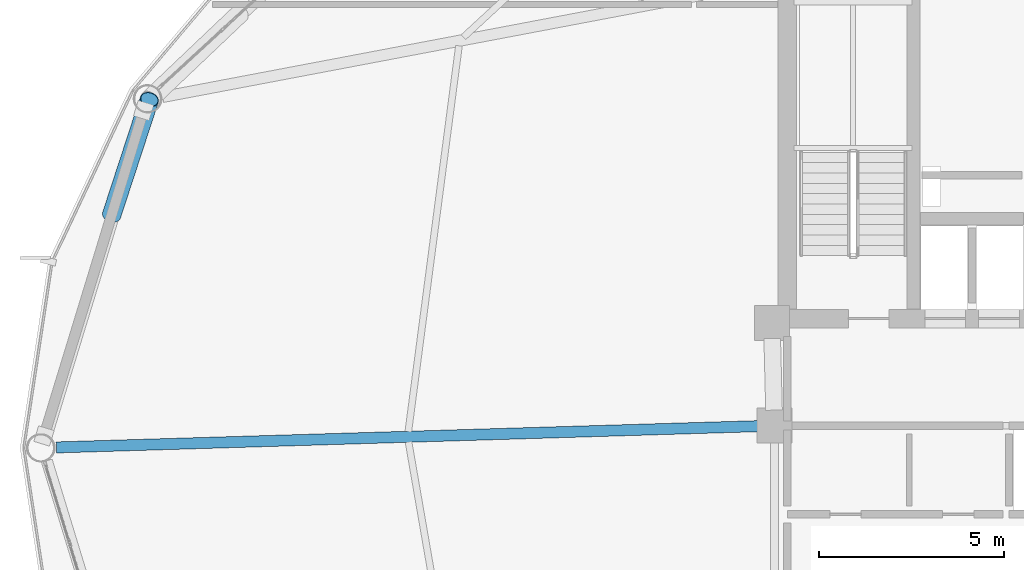
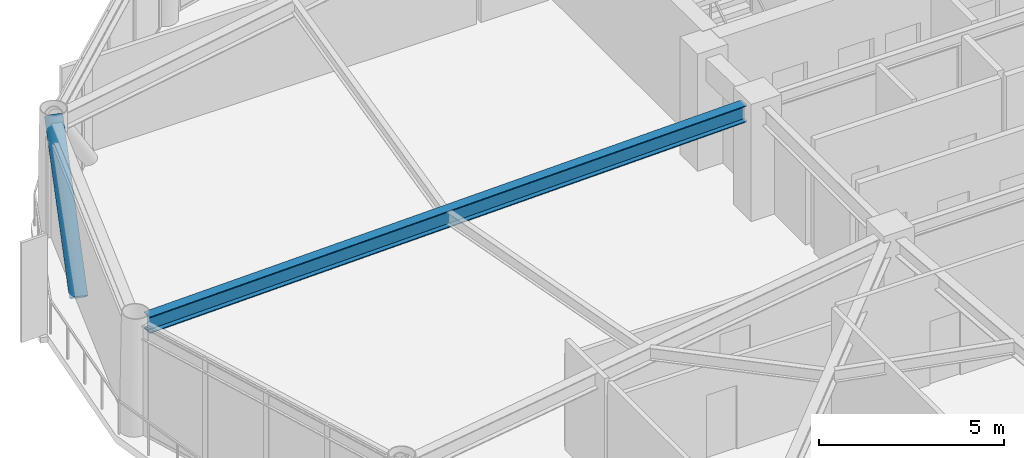
# One storey, part 10 of 26: 1 beam, 1 member.
"""IFC4 building model written with IfcOpenShell, lengths in metres."""

from ifc_helpers import new_model, si_unit, direction, frame, origin, origin_2d, place, context, subcontext, project, spatial, hollow_circle, i_section, extrude, material, material_profile, profile_set, type_object, element, save


model = new_model("IFC4")

# Units and contexts
model_context = context("Model", 3, precision=1e-05, world=origin(), true_north=direction((0.0, 1.0)))
body_context = subcontext(model_context, "Body", "Model", "MODEL_VIEW")
ifc_project = project(units=[si_unit("LENGTHUNIT", "METRE"), si_unit("AREAUNIT", "SQUARE_METRE"), si_unit("VOLUMEUNIT", "CUBIC_METRE"), si_unit("PLANEANGLEUNIT", "RADIAN"), si_unit("MASSUNIT", "GRAM", prefix="KILO")], contexts=[model_context])

# Site, building, storey
site_placement = place(None, origin())
site = spatial("IfcSite", under=ifc_project, at=site_placement, CompositionType="ELEMENT")
building_placement = place(site_placement, origin())
building = spatial("IfcBuilding", under=site, at=building_placement, Name="Varnakorn Sky Granary", CompositionType="ELEMENT")
storey_placement = place(building_placement, frame((0.0, 0.0, 153.89990234375)))
storey = spatial("IfcBuildingStorey", under=building, at=storey_placement, Name="L38", CompositionType="ELEMENT", Elevation=153.89990234375)

# Beam
ifc_material_1 = material(Name="Steel S355JR", Category="steel")
ifc_material_profile_1 = material_profile(ifc_material_1, i_section(OverallWidth=0.300048828125, OverallDepth=0.550048828125, WebThickness=0.014892578125, FlangeThickness=0.029052734375, at=origin_2d()), Name="HE 550 B")
ifc_profile_set_1 = profile_set([ifc_material_profile_1], Name="Steel S355JR")
beam_type = type_object("IfcBeamType", Name="BM-RAD-Z3", PredefinedType="BEAM", material=ifc_profile_set_1)
beam_placement = place(storey_placement, frame((-2.769775390625, 0.58740234375, 3.364990234375), z_axis=(-0.999540825851, -0.030300783096, 0.0), x_axis=(0.030300783096, -0.999540825851, 0.0)))
element("IfcBeam", 1, at=beam_placement, inside=storey, type_object=beam_type, Name="Radial Floor Girder RG07 L38", PredefinedType="BEAM", context=body_context, shape_type="SweptSolid", body=[
    extrude(i_section(OverallWidth=0.300048828125, OverallDepth=0.550048828125, WebThickness=0.014892578125, FlangeThickness=0.029052734375, at=origin_2d()), origin(), (0.0, 0.0, 1.0), 19.023193359375),
])

# Member
ifc_material_2 = material(Name="Steel S460M", Category="steel")
ifc_material_profile_2 = material_profile(ifc_material_2, hollow_circle(Radius=0.25390625, WallThickness=0.01806640625, at=origin_2d()), Name="CHS 508x18")
ifc_profile_set_2 = profile_set([ifc_material_profile_2], Name="Steel S460M")
member_type = type_object("IfcMemberType", Name="MB-DIAG-T2", PredefinedType="BRACE", material=ifc_profile_set_2)
member_placement = place(storey_placement, frame((-20.288818359375, 6.3017578125, -0.1298828125), z_axis=(0.204290863381, 0.624972932659, 0.753441488494), x_axis=(-0.950507547517, 0.310701467832, 0.0)))
element("IfcMember", 2, at=member_placement, inside=storey, type_object=member_type, Name="Perimeter CHS Diagrid Brace DG06 L38", PredefinedType="BRACE", context=body_context, shape_type="SweptSolid", body=[
    extrude(hollow_circle(Radius=0.25390625, WallThickness=0.01806640625, at=origin_2d()), origin(), (0.0, 0.0, 1.0), 5.003662109375),
])

save(model, "model.ifc")
